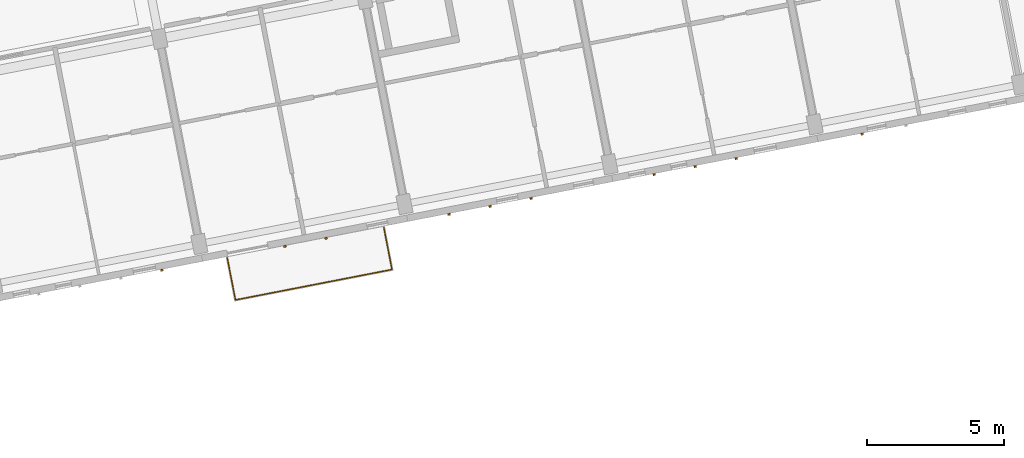
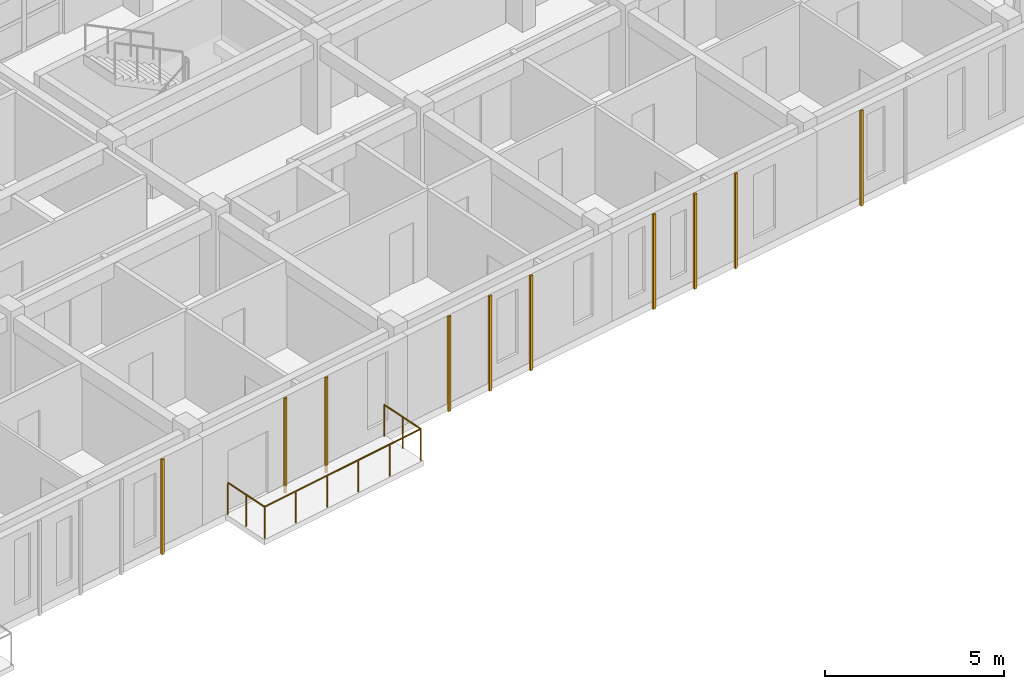
# One storey, part 118 of 127: 10 coverings, 1 railing.
"""IFC4 building model written with IfcOpenShell, lengths in metres."""

from ifc_helpers import new_model, si_unit, direction, frame, origin, origin_2d, place, context, subcontext, project, spatial, rectangle, circle, extrude, material, layer, layer_set, type_object, element, save


model = new_model("IFC4")

# Units and contexts
model_context = context("Model", 3, precision=1e-05, world=origin(), true_north=direction((0.0, 1.0)))
body_context = subcontext(model_context, "Body", "Model", "MODEL_VIEW")
ifc_project = project(units=[si_unit("LENGTHUNIT", "METRE"), si_unit("AREAUNIT", "SQUARE_METRE"), si_unit("VOLUMEUNIT", "CUBIC_METRE"), si_unit("PLANEANGLEUNIT", "RADIAN"), si_unit("MASSUNIT", "GRAM", prefix="KILO")], contexts=[model_context])

# Site, building, storey
site_placement = place(None, origin())
site = spatial("IfcSite", under=ifc_project, at=site_placement, CompositionType="ELEMENT")
building_placement = place(site_placement, origin())
building = spatial("IfcBuilding", under=site, at=building_placement, Name="Kestramere Prow Commons", CompositionType="ELEMENT")
storey_placement = place(building_placement, frame((0.0, 0.0, 8.39990234375)))
storey = spatial("IfcBuildingStorey", under=building, at=storey_placement, Name="L02", CompositionType="ELEMENT", Elevation=8.39990234375)

# Coverings
ifc_material_1 = material(Name="Weathered Zinc-Titanium Standing-Seam Cladding")
ifc_layer = layer(ifc_material_1, 0.074951171875)
ifc_layer_set = layer_set([ifc_layer], Name="Weathered Zinc-Titanium Standing-Seam Cladding")
covering_type = type_object("IfcCoveringType", Name="COV-CLAD-SEAM", PredefinedType="CLADDING", material=ifc_layer_set)
for number, where, z_axis, x_axis, name in (
    (1, (131.9580078125, 35.9453125, -0.25), (0.0, 0.0, 1.0), (-0.981627183448, -0.190808995377, 0.0), "EW-D-L02-S-1 Standing-Seam Rib 1"),
    (2, (137.92626953125, 37.105224609375, -0.25), (0.0, 0.0, 1.0), (-0.981627183448, -0.190808995377, 0.0), "EW-D-L02-S-2 Standing-Seam Rib 2"),
    (3, (136.43408203125, 36.815185546875, -0.25), (0.0, 0.0, 1.0), (-0.981627183448, -0.190808995377, 0.0), "EW-D-L02-S-2 Standing-Seam Rib 3"),
    (4, (145.386474609375, 38.555419921875, -0.25), (0.0, 0.0, 1.0), (-0.981627183448, -0.190808995377, 0.0), "EW-D-L02-S-3 Standing-Seam Rib 2"),
    (5, (143.89453125, 38.265380859375, -0.25), (0.0, 0.0, 1.0), (-0.981627183448, -0.190808995377, 0.0), "EW-D-L02-S-3 Standing-Seam Rib 3"),
    (6, (142.40234375, 37.975341796875, -0.25), (0.0, 0.0, 1.0), (-0.981627183448, -0.190808995377, 0.0), "EW-D-L02-S-3 Standing-Seam Rib 4"),
    (7, (152.846923828125, 40.005615234375, -0.25), (0.0, 0.0, 1.0), (-0.981627183448, -0.190808995377, 0.0), "EW-D-L02-S-4 Standing-Seam Rib 2"),
    (8, (151.35498046875, 39.715576171875, -0.25), (0.0, 0.0, 1.0), (-0.981627183448, -0.190808995377, 0.0), "EW-D-L02-S-4 Standing-Seam Rib 3"),
    (9, (149.86279296875, 39.425537109375, -0.25), (0.0, 0.0, 1.0), (-0.981627183448, -0.190808995377, 0.0), "EW-D-L02-S-4 Standing-Seam Rib 4"),
    (10, (157.42626953125, 40.895751953125, -0.25), (0.0, 0.0, 1.0), (-0.981627183448, -0.190808995377, 0.0), "EW-D-L02-S-5 Standing-Seam Rib 4"),
):
    element("IfcCovering", number, at=place(storey_placement, frame(where, z_axis=z_axis, x_axis=x_axis)), inside=storey, type_object=covering_type, Name=name, PredefinedType="CLADDING", context=body_context, shape_type="SweptSolid", body=[
        extrude(rectangle(XDim=0.0849609375, YDim=0.06494140625, at=origin_2d()), origin(), (0.0, 0.0, 1.0), 3.25),
    ])

# Railing
ifc_material_2 = material(Name="Powder-Coated Aluminium 6063-T6", Category="aluminium")
railing_type = type_object("IfcRailingType", Name="GRD-BALC-1100", PredefinedType="BALUSTRADE", material=ifc_material_2)
railing_placement = place(storey_placement, frame((134.3359375, 36.394775390625, 0.0)))
element("IfcRailing", 11, at=railing_placement, inside=storey, type_object=railing_type, Name="Block D L02 Balcony Guardrail 3", PredefinedType="BALUSTRADE", context=body_context, shape_type="SweptSolid", body=[
    extrude(circle(Radius=0.02392578125, at=origin_2d()), frame((0.0, 0.0, 1.076171875), z_axis=(0.190756568988, -0.981637372652, 0.0), x_axis=(0.981637372652, 0.190756568988, 0.0)), (0.0, 0.0, 1.0), 1.56005859375),
    extrude(circle(Radius=0.02392578125, at=origin_2d()), frame((0.297607421875, -1.531494140625, 1.076171875), z_axis=(0.981626779841, 0.190811071742, 0.0), x_axis=(-0.190811071742, 0.981626779841, 0.0)), (0.0, 0.0, 1.0), 5.7998046875),
    extrude(circle(Radius=0.02392578125, at=origin_2d()), frame((5.990966796875, -0.4248046875, 1.076171875), z_axis=(-0.190756568988, 0.981637372652, 0.0), x_axis=(-0.981637372652, -0.190756568988, 0.0)), (0.0, 0.0, 1.0), 1.56005859375),
    extrude(circle(Radius=0.02099609375, at=origin_2d()), origin(), (0.0, 0.0, 1.0), 1.052001953125),
    extrude(circle(Radius=0.02099609375, at=origin_2d()), frame((0.14892578125, -0.765625, 0.0)), (0.0, 0.0, 1.0), 1.052001953125),
    extrude(circle(Radius=0.02099609375, at=origin_2d()), frame((0.297607421875, -1.531494140625, 0.0)), (0.0, 0.0, 1.0), 1.052001953125),
    extrude(circle(Radius=0.02099609375, at=origin_2d()), frame((1.436279296875, -1.31005859375, 0.0)), (0.0, 0.0, 1.0), 1.052001953125),
    extrude(circle(Radius=0.02099609375, at=origin_2d()), frame((2.574951171875, -1.0888671875, 0.0)), (0.0, 0.0, 1.0), 1.052001953125),
    extrude(circle(Radius=0.02099609375, at=origin_2d()), frame((3.713623046875, -0.867431640625, 0.0)), (0.0, 0.0, 1.0), 1.052001953125),
    extrude(circle(Radius=0.02099609375, at=origin_2d()), frame((4.852294921875, -0.646240234375, 0.0)), (0.0, 0.0, 1.0), 1.052001953125),
    extrude(circle(Radius=0.02099609375, at=origin_2d()), frame((5.990966796875, -0.4248046875, 0.0)), (0.0, 0.0, 1.0), 1.052001953125),
    extrude(circle(Radius=0.02099609375, at=origin_2d()), frame((5.84228515625, 0.3408203125, 0.0)), (0.0, 0.0, 1.0), 1.052001953125),
    extrude(circle(Radius=0.02099609375, at=origin_2d()), frame((5.693359375, 1.106689453125, 0.0)), (0.0, 0.0, 1.0), 1.052001953125),
])

save(model, "model.ifc")
